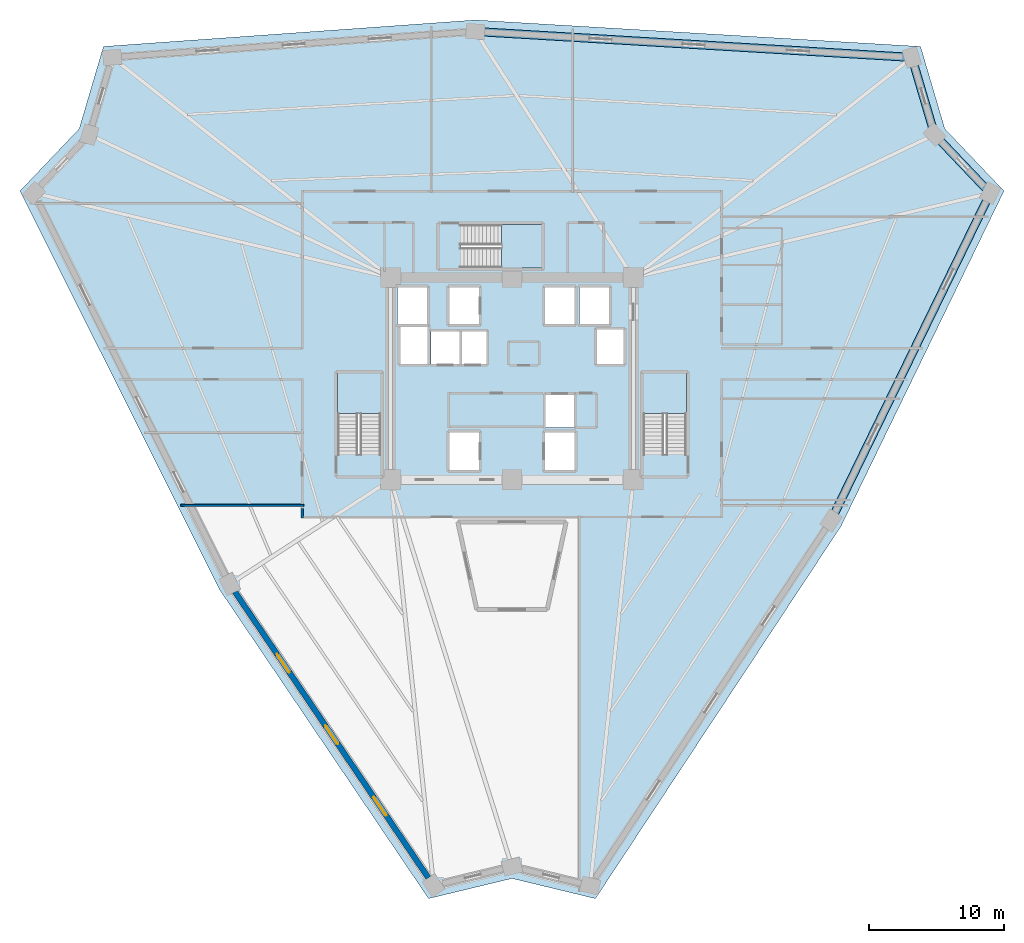
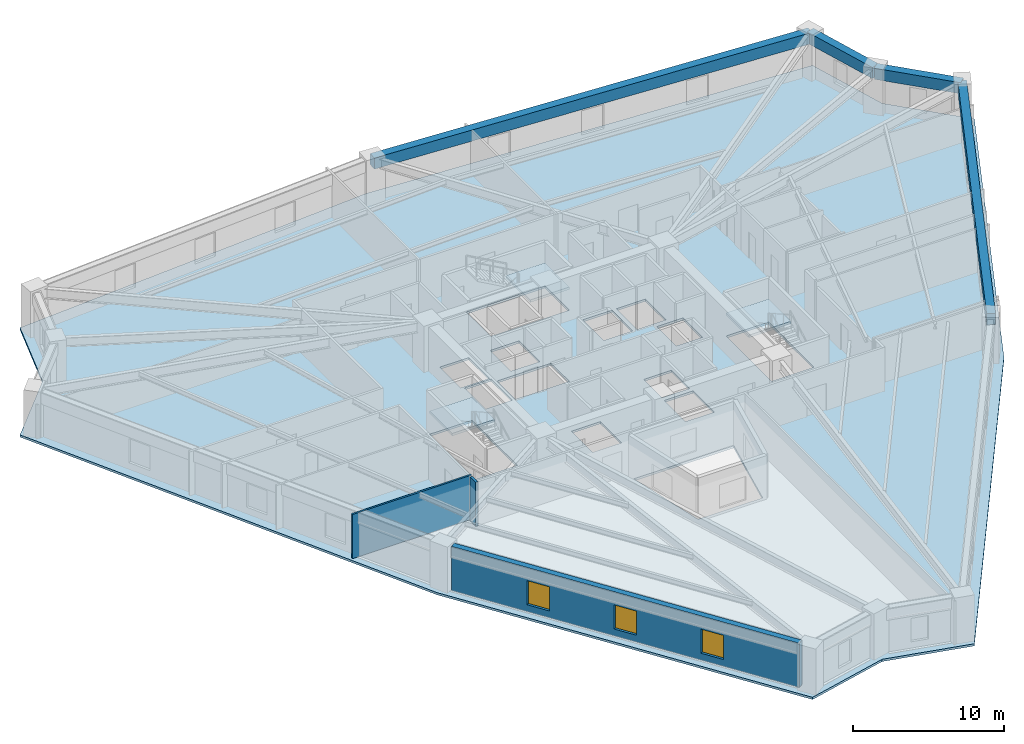
# One storey, part 2 of 9: 4 beams, 4 slabs, 3 walls, 3 windows, 3 openings, 3 elements without a shape of their own.
"""IFC4 building model written with IfcOpenShell, lengths in metres."""

from ifc_helpers import new_model, si_unit, direction, frame, frame_2d, origin, origin_2d, place, context, subcontext, project, spatial, polyline, rectangle, outline, extrude, source, transform, mapped, material, layer, layer_set, material_profile, profile_set, type_object, element, fill, aggregate, save


model = new_model("IFC4")

# Units and contexts
model_context = context("Model", 3, precision=1e-05, world=origin(), true_north=direction((0.0, 1.0)))
body_context = subcontext(model_context, "Body", "Model", "MODEL_VIEW")
ifc_project = project(units=[si_unit("LENGTHUNIT", "METRE"), si_unit("AREAUNIT", "SQUARE_METRE"), si_unit("VOLUMEUNIT", "CUBIC_METRE"), si_unit("PLANEANGLEUNIT", "RADIAN"), si_unit("MASSUNIT", "GRAM", prefix="KILO")], contexts=[model_context])

# Site, building, storey
site_placement = place(None, origin())
site = spatial("IfcSite", under=ifc_project, at=site_placement, CompositionType="ELEMENT")
building_placement = place(site_placement, origin())
building = spatial("IfcBuilding", under=site, at=building_placement, Name="Liaohun Quay Tower", CompositionType="ELEMENT")
storey_placement = place(building_placement, frame((0.0, 0.0, 144.0)))
storey = spatial("IfcBuildingStorey", under=building, at=storey_placement, Name="L37", CompositionType="ELEMENT", Elevation=144.0)

# Beams
ifc_material_1 = material(Name="Precast concrete C55", Category="concrete")
ifc_material_profile = material_profile(ifc_material_1, rectangle(XDim=0.60009765625, YDim=0.89990234375, at=origin_2d()), Name="RC600x900")
ifc_profile_set = profile_set([ifc_material_profile], Name="Precast concrete C55")
beam_type = type_object("IfcBeamType", Name="BM-SPD-Z2", PredefinedType="SPANDREL", material=ifc_profile_set)
shared_shape_1 = source(origin(), body_context, "Body", "SweptSolid", [
    extrude(rectangle(XDim=0.60009765625, YDim=0.89990234375, at=origin_2d()), origin(), (0.0, 0.0, 1.0), 32.43701171875),
])
beam_1_placement = place(storey_placement, frame((57.278076171875, 79.75390625, 3.1201171875), z_axis=(0.998239629669, -0.059309710482, 0.0), x_axis=(0.059309710482, 0.998239629669, 0.0)))
element("IfcBeam", 1, at=beam_1_placement, inside=storey, type_object=beam_type, Name="L37 Precast Spandrel Beam PC06-PC07", PredefinedType="SPANDREL", context=body_context, shape_type="MappedRepresentation", body=[
    mapped(shared_shape_1, transform((0.0, 0.0, 0.0), x_axis=(1.0, 0.0, 0.0), y_axis=(0.0, 1.0, 0.0), z_axis=(0.0, 0.0, 1.0), scale=1.0)),
])
shared_shape_2 = source(origin(), body_context, "Body", "SweptSolid", [
    extrude(rectangle(XDim=0.60009765625, YDim=0.89990234375, at=origin_2d()), origin(), (0.0, 0.0, 1.0), 5.974853515625),
])
beam_2_placement = place(storey_placement, frame((89.657958984375, 77.830078125, 3.1201171875), z_axis=(0.28283876691, -0.959167468137, 0.0), x_axis=(0.959167468137, 0.28283876691, 0.0)))
element("IfcBeam", 2, at=beam_2_placement, inside=storey, type_object=beam_type, Name="L37 Precast Spandrel Beam PC07-PC08", PredefinedType="SPANDREL", context=body_context, shape_type="MappedRepresentation", body=[
    mapped(shared_shape_2, transform((0.0, 0.0, 0.0), x_axis=(1.0, 0.0, 0.0), y_axis=(0.0, 1.0, 0.0), z_axis=(0.0, 0.0, 1.0), scale=1.0)),
])
shared_shape_3 = source(origin(), body_context, "Body", "SweptSolid", [
    extrude(rectangle(XDim=0.60009765625, YDim=0.89990234375, at=origin_2d()), origin(), (0.0, 0.0, 1.0), 5.9833984375),
])
beam_3_placement = place(storey_placement, frame((91.347900390625, 72.09912109375, 3.1201171875), z_axis=(0.689239366018, -0.724533709589, 0.0), x_axis=(0.724533709589, 0.689239366018, 0.0)))
element("IfcBeam", 3, at=beam_3_placement, inside=storey, type_object=beam_type, Name="L37 Precast Spandrel Beam PC08-PC09", PredefinedType="SPANDREL", context=body_context, shape_type="MappedRepresentation", body=[
    mapped(shared_shape_3, transform((0.0, 0.0, 0.0), x_axis=(1.0, 0.0, 0.0), y_axis=(0.0, 1.0, 0.0), z_axis=(0.0, 0.0, 1.0), scale=1.0)),
])
shared_shape_4 = source(origin(), body_context, "Body", "SweptSolid", [
    extrude(rectangle(XDim=0.60009765625, YDim=0.89990234375, at=origin_2d()), origin(), (0.0, 0.0, 1.0), 27.000732421875),
])
beam_4_placement = place(storey_placement, frame((95.471923828125, 67.763916015625, 3.1201171875), z_axis=(-0.437243394356, -0.899343212624, 0.0), x_axis=(0.899343212624, -0.437243394356, 0.0)))
element("IfcBeam", 4, at=beam_4_placement, inside=storey, type_object=beam_type, Name="L37 Precast Spandrel Beam PC09-PC10", PredefinedType="SPANDREL", context=body_context, shape_type="MappedRepresentation", body=[
    mapped(shared_shape_4, transform((0.0, 0.0, 0.0), x_axis=(1.0, 0.0, 0.0), y_axis=(0.0, 1.0, 0.0), z_axis=(0.0, 0.0, 1.0), scale=1.0)),
])

# Stair, slab
ifc_material_2 = material(Name="Concrete C45", Category="concrete")
stair_type = type_object("IfcStairType", Name="STR-CORE-OFF", PredefinedType="HALF_TURN_STAIR", material=ifc_material_2)
stair_1_placement = place(storey_placement, origin())
stair_1 = element("IfcStair", 5, at=stair_1_placement, inside=storey, type_object=stair_type, Name="L37 Smokeproof Core Exit Stair ST-1", PredefinedType="HALF_TURN_STAIR")
ifc_layer_1 = layer(ifc_material_2, 0.199951171875, Name="Concrete C45", Category="concrete")
ifc_layer_set_1 = layer_set([ifc_layer_1], Name="Concrete C45")
slab_type_1 = type_object("IfcSlabType", Name="SLB-LND-200", PredefinedType="LANDING", material=ifc_layer_set_1)
slab_1_placement = place(storey_placement, frame((0.0, 0.0, 1.675048828125)))
slab_1 = element("IfcSlab", 6, at=slab_1_placement, type_object=slab_type_1, Name="ST-1 landing 1", PredefinedType="LANDING", context=body_context, shape_type="SweptSolid", body=[
    extrude(outline(polyline([(50.280029296875, 51.429931640625), (50.280029296875, 54.419921875), (47.0400390625, 54.419921875), (47.0400390625, 51.429931640625), (50.280029296875, 51.429931640625)])), origin(), (0.0, 0.0, 1.0), 0.199951171875),
])
aggregate(stair_1, [slab_1])

stair_2_placement = place(storey_placement, origin())
stair_2 = element("IfcStair", 7, at=stair_2_placement, inside=storey, type_object=stair_type, Name="L37 Smokeproof Core Exit Stair ST-2", PredefinedType="HALF_TURN_STAIR")
slab_2_placement = place(storey_placement, frame((0.0, 0.0, 1.675048828125)))
slab_2 = element("IfcSlab", 8, at=slab_2_placement, type_object=slab_type_1, Name="ST-2 landing 1", PredefinedType="LANDING", context=body_context, shape_type="SweptSolid", body=[
    extrude(outline(polyline([(72.9599609375, 51.429931640625), (72.9599609375, 54.419921875), (69.719970703125, 54.419921875), (69.719970703125, 51.429931640625), (72.9599609375, 51.429931640625)])), origin(), (0.0, 0.0, 1.0), 0.199951171875),
])
aggregate(stair_2, [slab_2])

stair_3_placement = place(storey_placement, origin())
stair_3 = element("IfcStair", 9, at=stair_3_placement, inside=storey, type_object=stair_type, Name="L37 Smokeproof Core Exit Stair ST-3", PredefinedType="HALF_TURN_STAIR")
slab_3_placement = place(storey_placement, frame((0.0, 0.0, 1.675048828125)))
slab_3 = element("IfcSlab", 10, at=slab_3_placement, type_object=slab_type_1, Name="ST-3 landing 1", PredefinedType="LANDING", context=body_context, shape_type="SweptSolid", body=[
    extrude(outline(polyline([(59.22998046875, 62.199951171875), (62.219970703125, 62.199951171875), (62.219970703125, 65.43994140625), (59.22998046875, 65.43994140625), (59.22998046875, 62.199951171875)])), origin(), (0.0, 0.0, 1.0), 0.199951171875),
])
aggregate(stair_3, [slab_3])

# Slab
ifc_layer_2 = layer(ifc_material_2, 0.179931640625, Name="Concrete C45", Category="concrete")
ifc_layer_set_2 = layer_set([ifc_layer_2], Name="Concrete C45")
slab_type_2 = type_object("IfcSlabType", Name="SLB-OFF-180", PredefinedType="FLOOR", material=ifc_layer_set_2)
slab_4_placement = place(storey_placement, frame((0.0, 0.0, -0.179931640625)))
element("IfcSlab", 11, at=slab_4_placement, inside=storey, type_object=slab_type_2, Name="L37 Structural Floor Slab", PredefinedType="FLOOR", context=body_context, shape_type="SweptSolid", body=[
    extrude(outline(polyline([(53.81103515625, 15.43310546875), (60.0, 16.927978515625), (66.18896484375, 15.43310546875), (84.406005859375, 43.05908203125), (96.493896484375, 67.923095703125), (92.10498046875, 72.535888671875), (90.304931640625, 78.64306640625), (57.27294921875, 80.60595703125), (29.695068359375, 78.64306640625), (27.89501953125, 72.535888671875), (23.506103515625, 67.923095703125), (38.322021484375, 38.3349609375), (53.81103515625, 15.43310546875)]), holes=[polyline([(57.56005859375, 50.030029296875), (55.340087890625, 50.030029296875), (55.340087890625, 47.2099609375), (57.56005859375, 47.2099609375), (57.56005859375, 50.030029296875)]), polyline([(50.280029296875, 54.419921875), (47.0400390625, 54.419921875), (47.0400390625, 48.409912109375), (50.280029296875, 48.409912109375), (50.280029296875, 54.419921875)]), polyline([(53.989990234375, 55.090087890625), (58.110107421875, 55.090087890625), (58.110107421875, 57.510009765625), (53.989990234375, 57.510009765625), (53.989990234375, 55.090087890625)]), polyline([(53.760009765625, 55.090087890625), (53.760009765625, 57.909912109375), (51.7099609375, 57.909912109375), (51.7099609375, 55.090087890625), (53.760009765625, 55.090087890625)]), polyline([(53.7099609375, 58.0400390625), (53.7099609375, 60.7900390625), (51.489990234375, 60.7900390625), (51.489990234375, 58.0400390625), (53.7099609375, 58.0400390625)]), polyline([(57.56005859375, 58.0400390625), (57.56005859375, 60.7900390625), (55.340087890625, 60.7900390625), (55.340087890625, 58.0400390625), (57.56005859375, 58.0400390625)]), polyline([(62.219970703125, 62.199951171875), (62.219970703125, 65.43994140625), (56.2099609375, 65.43994140625), (56.2099609375, 62.199951171875), (62.219970703125, 62.199951171875)]), polyline([(62.472900390625, 37.0390625), (63.804931640625, 43.199951171875), (56.195068359375, 43.199951171875), (57.527099609375, 37.0390625), (62.472900390625, 37.0390625)]), polyline([(64.659912109375, 47.2099609375), (64.659912109375, 50.030029296875), (62.43994140625, 50.030029296875), (62.43994140625, 47.2099609375), (64.659912109375, 47.2099609375)]), polyline([(72.9599609375, 54.419921875), (69.719970703125, 54.419921875), (69.719970703125, 48.409912109375), (72.9599609375, 48.409912109375), (72.9599609375, 54.419921875)]), polyline([(64.610107421875, 50.389892578125), (64.610107421875, 52.81005859375), (62.489990234375, 52.81005859375), (62.489990234375, 50.389892578125), (64.610107421875, 50.389892578125)]), polyline([(68.2900390625, 55.090087890625), (68.2900390625, 57.659912109375), (66.2900390625, 57.659912109375), (66.2900390625, 55.090087890625), (68.2900390625, 55.090087890625)]), polyline([(64.659912109375, 58.0400390625), (64.659912109375, 60.7900390625), (62.43994140625, 60.7900390625), (62.43994140625, 58.0400390625), (64.659912109375, 58.0400390625)]), polyline([(67.2099609375, 58.0400390625), (67.2099609375, 60.7900390625), (64.989990234375, 60.7900390625), (64.989990234375, 58.0400390625), (67.2099609375, 58.0400390625)])]), origin(), (0.0, 0.0, 1.0), 0.179931640625),
])

# Wall, openings, windows
ifc_material_3 = material(Name="Precast concrete C50 insulated sandwich", Category="concrete")
ifc_layer_3 = layer(ifc_material_3, 0.419921875, Name="Precast concrete C50 insulated sandwich", Category="concrete")
ifc_layer_set_3 = layer_set([ifc_layer_3], Name="Precast concrete C50 insulated sandwich")
wall_type_1 = type_object("IfcWallType", Name="WAL-EXT-Z12", PredefinedType="SOLIDWALL", material=ifc_layer_set_3)
wall_1_placement = place(storey_placement, frame((39.444091796875, 38.193115234375, 0.0), z_axis=(0.0, 0.0, 1.0), x_axis=(0.560233610346, -0.828334655703, 0.0)))
wall_1 = element("IfcWall", 12, at=wall_1_placement, inside=storey, type_object=wall_type_1, Name="L37 Brutalist Precast Pier Wall 11", PredefinedType="SOLIDWALL", context=body_context, shape_type="SweptSolid", body=[
    extrude(rectangle(XDim=25.62158203125, YDim=0.419921875, at=frame_2d((12.810791015625, 0.0))), origin(), (0.0, 0.0, 1.0), 3.570068359375),
])
shared_shape_5 = source(origin(), body_context, "Body", "SweptSolid", [
    extrude(rectangle(XDim=1.64990234375, YDim=1.949951171875, at=frame_2d((0.824951171875, 0.97509765625))), frame((0.0, 0.219970703125, 0.0), z_axis=(0.0, -1.0, 0.0), x_axis=(1.0, 0.0, 0.0)), (0.0, 0.0, 1.0), 0.43994140625),
])
opening_1_placement = place(wall_1_placement, frame((5.580078125, 0.0, 0.550048828125)))
opening_1 = element("IfcOpeningElement", 13, at=opening_1_placement, cuts=wall_1, Name="Opening W02", PredefinedType="OPENING", context=body_context, shape_type="MappedRepresentation", body=[
    mapped(shared_shape_5, transform((0.0, 0.0, 0.0), x_axis=(1.0, 0.0, 0.0), y_axis=(0.0, 1.0, 0.0), z_axis=(0.0, 0.0, 1.0), scale=1.0)),
])
opening_2_placement = place(wall_1_placement, frame((11.986083984375, 0.0, 0.550048828125)))
opening_2 = element("IfcOpeningElement", 14, at=opening_2_placement, cuts=wall_1, Name="Opening W02", PredefinedType="OPENING", context=body_context, shape_type="MappedRepresentation", body=[
    mapped(shared_shape_5, transform((0.0, 0.0, 0.0), x_axis=(1.0, 0.0, 0.0), y_axis=(0.0, 1.0, 0.0), z_axis=(0.0, 0.0, 1.0), scale=1.0)),
])
opening_3_placement = place(wall_1_placement, frame((18.39111328125, 0.0, 0.550048828125)))
opening_3 = element("IfcOpeningElement", 15, at=opening_3_placement, cuts=wall_1, Name="Opening W02", PredefinedType="OPENING", context=body_context, shape_type="MappedRepresentation", body=[
    mapped(shared_shape_5, transform((0.0, 0.0, 0.0), x_axis=(1.0, 0.0, 0.0), y_axis=(0.0, 1.0, 0.0), z_axis=(0.0, 0.0, 1.0), scale=1.0)),
])
ifc_material_4 = material(Name="Triple Low-E argon glazing in thermally broken aluminium", Category="aluminium")
window_type = type_object("IfcWindowType", Name="WIN-PUN-Z2", PartitioningType="DOUBLE_PANEL_VERTICAL", PredefinedType="WINDOW", material=ifc_material_4)
shared_shape_6 = source(origin(), body_context, "Body", "SweptSolid", [
    extrude(rectangle(XDim=1.64990234375, YDim=1.949951171875, at=frame_2d((0.824951171875, 0.97509765625))), frame((0.0, 0.030029296875, 0.0), z_axis=(0.0, -1.0, 0.0), x_axis=(1.0, 0.0, 0.0)), (0.0, 0.0, 1.0), 0.06005859375),
])
window_1_placement = place(opening_1_placement, origin())
window_1 = element("IfcWindow", 16, at=window_1_placement, inside=storey, type_object=window_type, Name="L37 Recessed Cold-Climate Punched Window 11-1", OverallHeight=1.949951171875, OverallWidth=1.64990234375, PartitioningType="DOUBLE_PANEL_VERTICAL", PredefinedType="WINDOW", context=body_context, shape_type="MappedRepresentation", body=[
    mapped(shared_shape_6, transform((0.0, 0.0, 0.0), x_axis=(1.0, 0.0, 0.0), y_axis=(0.0, 1.0, 0.0), z_axis=(0.0, 0.0, 1.0), scale=1.0)),
])
fill(opening_1, window_1)
window_2_placement = place(opening_2_placement, origin())
window_2 = element("IfcWindow", 17, at=window_2_placement, inside=storey, type_object=window_type, Name="L37 Recessed Cold-Climate Punched Window 11-2", OverallHeight=1.949951171875, OverallWidth=1.64990234375, PartitioningType="DOUBLE_PANEL_VERTICAL", PredefinedType="WINDOW", context=body_context, shape_type="MappedRepresentation", body=[
    mapped(shared_shape_6, transform((0.0, 0.0, 0.0), x_axis=(1.0, 0.0, 0.0), y_axis=(0.0, 1.0, 0.0), z_axis=(0.0, 0.0, 1.0), scale=1.0)),
])
fill(opening_2, window_2)
window_3_placement = place(opening_3_placement, origin())
window_3 = element("IfcWindow", 18, at=window_3_placement, inside=storey, type_object=window_type, Name="L37 Recessed Cold-Climate Punched Window 11-3", OverallHeight=1.949951171875, OverallWidth=1.64990234375, PartitioningType="DOUBLE_PANEL_VERTICAL", PredefinedType="WINDOW", context=body_context, shape_type="MappedRepresentation", body=[
    mapped(shared_shape_6, transform((0.0, 0.0, 0.0), x_axis=(1.0, 0.0, 0.0), y_axis=(0.0, 1.0, 0.0), z_axis=(0.0, 0.0, 1.0), scale=1.0)),
])
fill(opening_3, window_3)

# Walls
ifc_material_5 = material(Name="Autoclaved aerated concrete blockwork", Category="masonry")
ifc_layer_4 = layer(ifc_material_5, 0.179931640625, Name="Autoclaved aerated concrete blockwork", Category="masonry")
ifc_layer_set_4 = layer_set([ifc_layer_4], Name="Autoclaved aerated concrete blockwork")
wall_type_2 = type_object("IfcWallType", Name="WAL-PRT-COR", PredefinedType="PARTITIONING", material=ifc_layer_set_4)
wall_2_placement = place(storey_placement, frame((44.43994140625, 43.669921875, 0.0), z_axis=(0.0, 0.0, 1.0), x_axis=(0.0, 1.0, 0.0)))
element("IfcWall", 19, at=wall_2_placement, inside=storey, type_object=wall_type_2, Name="L37 Interior Partition Wall 041", PredefinedType="PARTITIONING", context=body_context, shape_type="SweptSolid", body=[
    extrude(rectangle(XDim=0.715087890625, YDim=0.179931640625, at=frame_2d((0.357421875, 0.0))), origin(), (0.0, 0.0, 1.0), 3.570068359375),
])
ifc_material_6 = material(Name="Gypsum board on twin steel studs", Category="steel")
ifc_layer_5 = layer(ifc_material_6, 0.139892578125, Name="Gypsum board on twin steel studs", Category="steel")
ifc_layer_set_5 = layer_set([ifc_layer_5], Name="Gypsum board on twin steel studs")
wall_type_3 = type_object("IfcWallType", Name="WAL-PRT-OFF", PredefinedType="PARTITIONING", material=ifc_layer_set_5)
wall_3_placement = place(storey_placement, frame((44.5400390625, 44.60009765625, 0.0), z_axis=(0.0, 0.0, 1.0), x_axis=(-1.0, 0.0, 0.0)))
element("IfcWall", 20, at=wall_3_placement, inside=storey, type_object=wall_type_3, Name="L37 Interior Partition Wall 044", PredefinedType="PARTITIONING", context=body_context, shape_type="SweptSolid", body=[
    extrude(rectangle(XDim=9.109130859375, YDim=0.139892578125, at=frame_2d((4.5546875, 0.0))), origin(), (0.0, 0.0, 1.0), 3.570068359375),
])

save(model, "model.ifc")
